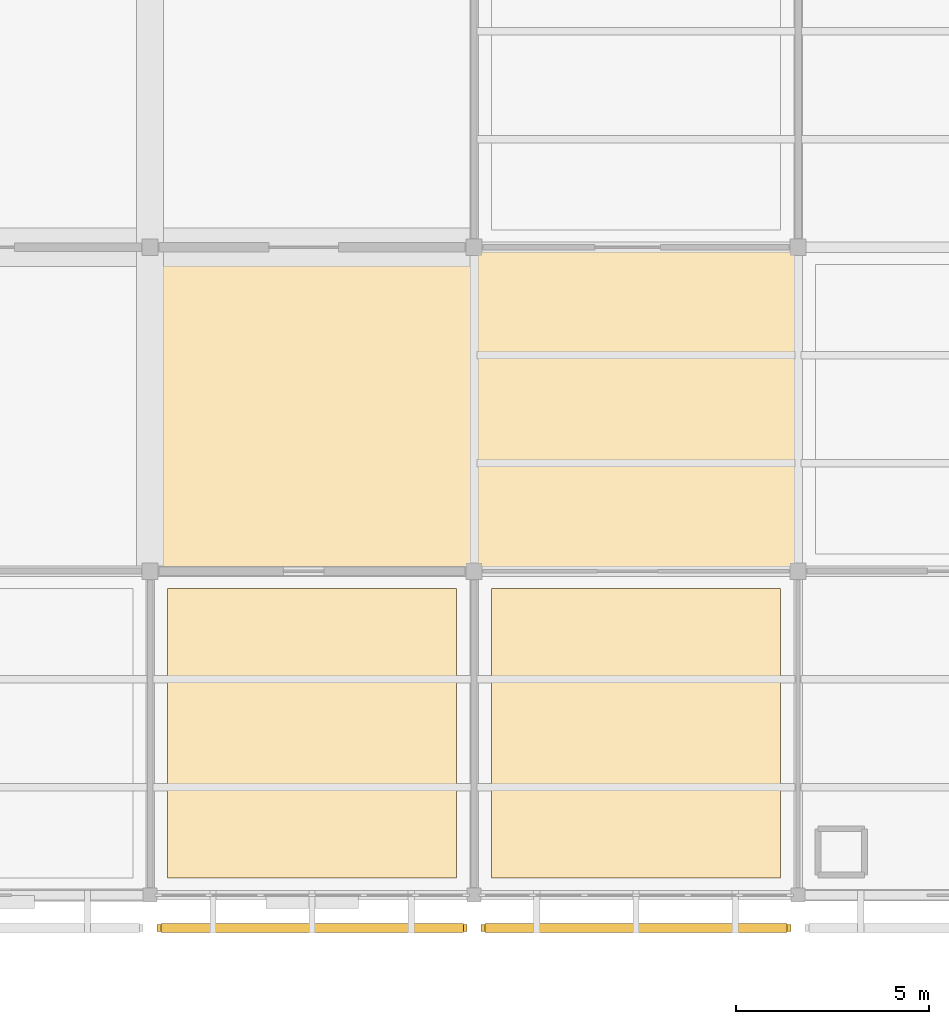
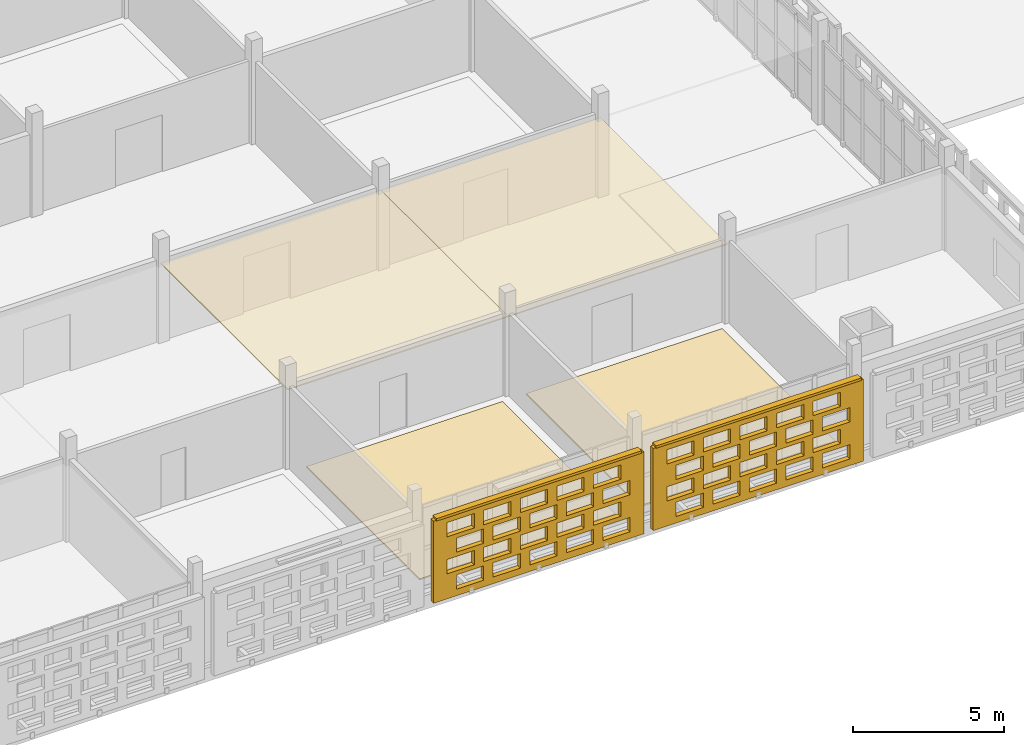
# One storey, part 116 of 166: 6 coverings, 2 shading devices, 40 openings.
"""IFC4 building model written with IfcOpenShell, lengths in metres."""

from ifc_helpers import new_model, si_unit, direction, frame, frame_2d, origin, origin_2d, place, context, subcontext, project, spatial, rectangle, extrude, material, layer, layer_set, type_object, element, save


model = new_model("IFC4")

# Units and contexts
model_context = context("Model", 3, precision=1e-05, world=origin(), true_north=direction((0.0, 1.0)))
body_context = subcontext(model_context, "Body", "Model", "MODEL_VIEW")
ifc_project = project(units=[si_unit("LENGTHUNIT", "METRE"), si_unit("AREAUNIT", "SQUARE_METRE"), si_unit("VOLUMEUNIT", "CUBIC_METRE"), si_unit("PLANEANGLEUNIT", "RADIAN"), si_unit("MASSUNIT", "GRAM", prefix="KILO")], contexts=[model_context])

# Site, building, storey
site_placement = place(None, origin())
site = spatial("IfcSite", under=ifc_project, at=site_placement, CompositionType="ELEMENT")
building_placement = place(site_placement, origin())
building = spatial("IfcBuilding", under=site, at=building_placement, Name="Varnapada Polytechnic", CompositionType="ELEMENT")
storey_placement = place(building_placement, frame((0.0, 0.0, 9.60009765625)))
storey = spatial("IfcBuildingStorey", under=building, at=storey_placement, Name="L02", CompositionType="ELEMENT", Elevation=9.60009765625)

# Coverings
ifc_material_1 = material(Name="Anti-Static Raised Laboratory Flooring")
ifc_layer_1 = layer(ifc_material_1, 0.06005859375)
ifc_layer_set_1 = layer_set([ifc_layer_1], Name="Anti-Static Raised Laboratory Flooring")
covering_type_1 = type_object("IfcCoveringType", Name="Floor Finish FLR-02", PredefinedType="FLOORING", material=ifc_layer_set_1)
covering_1_placement = place(storey_placement, frame((46.199951171875, 4.199951171875, -0.000244140625), z_axis=(0.0, 0.0, 1.0), x_axis=(1.0, 0.0, 0.0)))
element("IfcCovering", 1, at=covering_1_placement, inside=storey, type_object=covering_type_1, Name="L02 floor finish panel (6,1)", PredefinedType="FLOORING", context=body_context, shape_type="SweptSolid", body=[
    extrude(rectangle(XDim=7.5, YDim=7.5, at=origin_2d()), origin(), (0.0, 0.0, 1.0), 0.06005859375),
])
ifc_material_2 = material(Name="End-Grain Timber Studio Block Flooring", Category="wood")
ifc_layer_2 = layer(ifc_material_2, 0.054931640625)
ifc_layer_set_2 = layer_set([ifc_layer_2], Name="End-Grain Timber Studio Block Flooring")
covering_type_2 = type_object("IfcCoveringType", Name="Floor Finish FLR-04", PredefinedType="FLOORING", material=ifc_layer_set_2)
covering_2_placement = place(storey_placement, frame((37.800048828125, 4.199951171875, 0.0), z_axis=(0.0, 0.0, 1.0), x_axis=(1.0, 0.0, 0.0)))
element("IfcCovering", 2, at=covering_2_placement, inside=storey, type_object=covering_type_2, Name="L02 floor finish panel (5,1)", PredefinedType="FLOORING", context=body_context, shape_type="SweptSolid", body=[
    extrude(rectangle(XDim=7.5, YDim=7.5, at=origin_2d()), origin(), (0.0, 0.0, 1.0), 0.054931640625),
])
ifc_material_3 = material(Name="Mineral Fibre Acoustic Ceiling Tile")
ifc_layer_3 = layer(ifc_material_3, 0.0400390625)
ifc_layer_set_3 = layer_set([ifc_layer_3], Name="Mineral Fibre Acoustic Ceiling Tile")
covering_type_3 = type_object("IfcCoveringType", Name="Suspended Ceiling CLG-01", PredefinedType="CEILING", material=ifc_layer_set_3)
covering_3_placement = place(storey_placement, frame((46.199951171875, 12.60009765625, 3.02978515625), z_axis=(0.0, 0.0, 1.0), x_axis=(1.0, 0.0, 0.0)))
element("IfcCovering", 3, at=covering_3_placement, inside=storey, type_object=covering_type_3, Name="L02 suspended acoustic ceiling (6,2)", PredefinedType="CEILING", context=body_context, shape_type="SweptSolid", body=[
    extrude(rectangle(XDim=8.419921875, YDim=8.419921875, at=origin_2d()), origin(), (0.0, 0.0, 1.0), 0.0400390625),
])
ifc_material_4 = material(Name="Micro-Perforated Gypsum Acoustic Ceiling")
ifc_layer_4 = layer(ifc_material_4, 0.044921875)
ifc_layer_set_4 = layer_set([ifc_layer_4], Name="Micro-Perforated Gypsum Acoustic Ceiling")
covering_type_4 = type_object("IfcCoveringType", Name="Suspended Ceiling CLG-04", PredefinedType="CEILING", material=ifc_layer_set_4)
covering_4_placement = place(storey_placement, frame((37.800048828125, 12.60009765625, 3.02734375), z_axis=(0.0, 0.0, 1.0), x_axis=(1.0, 0.0, 0.0)))
element("IfcCovering", 4, at=covering_4_placement, inside=storey, type_object=covering_type_4, Name="L02 suspended acoustic ceiling (5,2)", PredefinedType="CEILING", context=body_context, shape_type="SweptSolid", body=[
    extrude(rectangle(XDim=8.419921875, YDim=8.419921875, at=origin_2d()), origin(), (0.0, 0.0, 1.0), 0.044921875),
])

# Covering, openings
ifc_material_5 = material(Name="Earth-toned architectural terracotta screen block", Category="masonry")
ifc_layer_5 = layer(ifc_material_5, 0.1201171875)
ifc_layer_set_5 = layer_set([ifc_layer_5], Name="Earth-toned architectural terracotta screen block")
covering_type_5 = type_object("IfcCoveringType", Name="Terracotta Screen Cladding CLD-01", PredefinedType="CLADDING", material=ifc_layer_set_5)
covering_5_placement = place(storey_placement, frame((41.820068359375, -0.85009765625, 0.0), z_axis=(0.0, 0.0, 1.0), x_axis=(-1.0, 0.0, 0.0)))
covering_5 = element("IfcCovering", 5, at=covering_5_placement, inside=storey, type_object=covering_type_5, Name="L02 perforated terracotta block screen (34)", PredefinedType="CLADDING", context=body_context, shape_type="SweptSolid", body=[
    extrude(rectangle(XDim=8.0400390625, YDim=0.179931640625, at=frame_2d((4.02001953125, 0.0))), origin(), (0.0, 0.0, 1.0), 3.31982421875),
])
opening_1_placement = place(covering_5_placement, frame((0.52001953125, 0.0, 0.265625)))
element("IfcOpeningElement", 6, at=opening_1_placement, cuts=covering_5, Name="Screen perforation TBS-L02-033.1", PredefinedType="OPENING", context=body_context, shape_type="SweptSolid", body=[
    extrude(rectangle(XDim=1.0400390625, YDim=0.5810546875, at=frame_2d((0.52001953125, 0.29052734375))), frame((0.0, 0.099853515625, 0.0), z_axis=(0.0, -1.0, 0.0), x_axis=(1.0, 0.0, 0.0)), (0.0, 0.0, 1.0), 0.199951171875),
])
opening_2_placement = place(covering_5_placement, frame((1.919921875, 0.0, 0.265625)))
element("IfcOpeningElement", 7, at=opening_2_placement, cuts=covering_5, Name="Screen perforation TBS-L02-033.2", PredefinedType="OPENING", context=body_context, shape_type="SweptSolid", body=[
    extrude(rectangle(XDim=1.0400390625, YDim=0.5810546875, at=frame_2d((0.52001953125, 0.29052734375))), frame((0.0, 0.099853515625, 0.0), z_axis=(0.0, -1.0, 0.0), x_axis=(1.0, 0.0, 0.0)), (0.0, 0.0, 1.0), 0.199951171875),
])
opening_3_placement = place(covering_5_placement, frame((3.320068359375, 0.0, 0.265625)))
element("IfcOpeningElement", 8, at=opening_3_placement, cuts=covering_5, Name="Screen perforation TBS-L02-033.3", PredefinedType="OPENING", context=body_context, shape_type="SweptSolid", body=[
    extrude(rectangle(XDim=1.0400390625, YDim=0.5810546875, at=frame_2d((0.52001953125, 0.29052734375))), frame((0.0, 0.099853515625, 0.0), z_axis=(0.0, -1.0, 0.0), x_axis=(1.0, 0.0, 0.0)), (0.0, 0.0, 1.0), 0.199951171875),
])
opening_4_placement = place(covering_5_placement, frame((4.719970703125, 0.0, 0.265625)))
element("IfcOpeningElement", 9, at=opening_4_placement, cuts=covering_5, Name="Screen perforation TBS-L02-033.4", PredefinedType="OPENING", context=body_context, shape_type="SweptSolid", body=[
    extrude(rectangle(XDim=1.0400390625, YDim=0.5810546875, at=frame_2d((0.52001953125, 0.29052734375))), frame((0.0, 0.099853515625, 0.0), z_axis=(0.0, -1.0, 0.0), x_axis=(1.0, 0.0, 0.0)), (0.0, 0.0, 1.0), 0.199951171875),
])
opening_5_placement = place(covering_5_placement, frame((6.1201171875, 0.0, 0.265625)))
element("IfcOpeningElement", 10, at=opening_5_placement, cuts=covering_5, Name="Screen perforation TBS-L02-033.5", PredefinedType="OPENING", context=body_context, shape_type="SweptSolid", body=[
    extrude(rectangle(XDim=1.0400390625, YDim=0.5810546875, at=frame_2d((0.52001953125, 0.29052734375))), frame((0.0, 0.099853515625, 0.0), z_axis=(0.0, -1.0, 0.0), x_axis=(1.0, 0.0, 0.0)), (0.0, 0.0, 1.0), 0.199951171875),
])
opening_6_placement = place(covering_5_placement, frame((0.8798828125, 0.0, 1.0126953125)))
element("IfcOpeningElement", 11, at=opening_6_placement, cuts=covering_5, Name="Screen perforation TBS-L02-033.6", PredefinedType="OPENING", context=body_context, shape_type="SweptSolid", body=[
    extrude(rectangle(XDim=1.0400390625, YDim=0.5810546875, at=frame_2d((0.52001953125, 0.29052734375))), frame((0.0, 0.099853515625, 0.0), z_axis=(0.0, -1.0, 0.0), x_axis=(1.0, 0.0, 0.0)), (0.0, 0.0, 1.0), 0.199951171875),
])
opening_7_placement = place(covering_5_placement, frame((2.280029296875, 0.0, 1.0126953125)))
element("IfcOpeningElement", 12, at=opening_7_placement, cuts=covering_5, Name="Screen perforation TBS-L02-033.7", PredefinedType="OPENING", context=body_context, shape_type="SweptSolid", body=[
    extrude(rectangle(XDim=1.0400390625, YDim=0.5810546875, at=frame_2d((0.52001953125, 0.29052734375))), frame((0.0, 0.099853515625, 0.0), z_axis=(0.0, -1.0, 0.0), x_axis=(1.0, 0.0, 0.0)), (0.0, 0.0, 1.0), 0.199951171875),
])
opening_8_placement = place(covering_5_placement, frame((3.679931640625, 0.0, 1.0126953125)))
element("IfcOpeningElement", 13, at=opening_8_placement, cuts=covering_5, Name="Screen perforation TBS-L02-033.8", PredefinedType="OPENING", context=body_context, shape_type="SweptSolid", body=[
    extrude(rectangle(XDim=1.0400390625, YDim=0.5810546875, at=frame_2d((0.52001953125, 0.29052734375))), frame((0.0, 0.099853515625, 0.0), z_axis=(0.0, -1.0, 0.0), x_axis=(1.0, 0.0, 0.0)), (0.0, 0.0, 1.0), 0.199951171875),
])
opening_9_placement = place(covering_5_placement, frame((5.080078125, 0.0, 1.0126953125)))
element("IfcOpeningElement", 14, at=opening_9_placement, cuts=covering_5, Name="Screen perforation TBS-L02-033.9", PredefinedType="OPENING", context=body_context, shape_type="SweptSolid", body=[
    extrude(rectangle(XDim=1.0400390625, YDim=0.5810546875, at=frame_2d((0.52001953125, 0.29052734375))), frame((0.0, 0.099853515625, 0.0), z_axis=(0.0, -1.0, 0.0), x_axis=(1.0, 0.0, 0.0)), (0.0, 0.0, 1.0), 0.199951171875),
])
opening_10_placement = place(covering_5_placement, frame((6.47998046875, 0.0, 1.0126953125)))
element("IfcOpeningElement", 15, at=opening_10_placement, cuts=covering_5, Name="Screen perforation TBS-L02-033.10", PredefinedType="OPENING", context=body_context, shape_type="SweptSolid", body=[
    extrude(rectangle(XDim=1.0400390625, YDim=0.5810546875, at=frame_2d((0.52001953125, 0.29052734375))), frame((0.0, 0.099853515625, 0.0), z_axis=(0.0, -1.0, 0.0), x_axis=(1.0, 0.0, 0.0)), (0.0, 0.0, 1.0), 0.199951171875),
])
opening_11_placement = place(covering_5_placement, frame((0.52001953125, 0.0, 1.759521484375)))
element("IfcOpeningElement", 16, at=opening_11_placement, cuts=covering_5, Name="Screen perforation TBS-L02-033.11", PredefinedType="OPENING", context=body_context, shape_type="SweptSolid", body=[
    extrude(rectangle(XDim=1.0400390625, YDim=0.5810546875, at=frame_2d((0.52001953125, 0.29052734375))), frame((0.0, 0.099853515625, 0.0), z_axis=(0.0, -1.0, 0.0), x_axis=(1.0, 0.0, 0.0)), (0.0, 0.0, 1.0), 0.199951171875),
])
opening_12_placement = place(covering_5_placement, frame((1.919921875, 0.0, 1.759521484375)))
element("IfcOpeningElement", 17, at=opening_12_placement, cuts=covering_5, Name="Screen perforation TBS-L02-033.12", PredefinedType="OPENING", context=body_context, shape_type="SweptSolid", body=[
    extrude(rectangle(XDim=1.0400390625, YDim=0.5810546875, at=frame_2d((0.52001953125, 0.29052734375))), frame((0.0, 0.099853515625, 0.0), z_axis=(0.0, -1.0, 0.0), x_axis=(1.0, 0.0, 0.0)), (0.0, 0.0, 1.0), 0.199951171875),
])
opening_13_placement = place(covering_5_placement, frame((3.320068359375, 0.0, 1.759521484375)))
element("IfcOpeningElement", 18, at=opening_13_placement, cuts=covering_5, Name="Screen perforation TBS-L02-033.13", PredefinedType="OPENING", context=body_context, shape_type="SweptSolid", body=[
    extrude(rectangle(XDim=1.0400390625, YDim=0.5810546875, at=frame_2d((0.52001953125, 0.29052734375))), frame((0.0, 0.099853515625, 0.0), z_axis=(0.0, -1.0, 0.0), x_axis=(1.0, 0.0, 0.0)), (0.0, 0.0, 1.0), 0.199951171875),
])
opening_14_placement = place(covering_5_placement, frame((4.719970703125, 0.0, 1.759521484375)))
element("IfcOpeningElement", 19, at=opening_14_placement, cuts=covering_5, Name="Screen perforation TBS-L02-033.14", PredefinedType="OPENING", context=body_context, shape_type="SweptSolid", body=[
    extrude(rectangle(XDim=1.0400390625, YDim=0.5810546875, at=frame_2d((0.52001953125, 0.29052734375))), frame((0.0, 0.099853515625, 0.0), z_axis=(0.0, -1.0, 0.0), x_axis=(1.0, 0.0, 0.0)), (0.0, 0.0, 1.0), 0.199951171875),
])
opening_15_placement = place(covering_5_placement, frame((6.1201171875, 0.0, 1.759521484375)))
element("IfcOpeningElement", 20, at=opening_15_placement, cuts=covering_5, Name="Screen perforation TBS-L02-033.15", PredefinedType="OPENING", context=body_context, shape_type="SweptSolid", body=[
    extrude(rectangle(XDim=1.0400390625, YDim=0.5810546875, at=frame_2d((0.52001953125, 0.29052734375))), frame((0.0, 0.099853515625, 0.0), z_axis=(0.0, -1.0, 0.0), x_axis=(1.0, 0.0, 0.0)), (0.0, 0.0, 1.0), 0.199951171875),
])
opening_16_placement = place(covering_5_placement, frame((0.8798828125, 0.0, 2.506591796875)))
element("IfcOpeningElement", 21, at=opening_16_placement, cuts=covering_5, Name="Screen perforation TBS-L02-033.16", PredefinedType="OPENING", context=body_context, shape_type="SweptSolid", body=[
    extrude(rectangle(XDim=1.0400390625, YDim=0.5810546875, at=frame_2d((0.52001953125, 0.29052734375))), frame((0.0, 0.099853515625, 0.0), z_axis=(0.0, -1.0, 0.0), x_axis=(1.0, 0.0, 0.0)), (0.0, 0.0, 1.0), 0.199951171875),
])
opening_17_placement = place(covering_5_placement, frame((2.280029296875, 0.0, 2.506591796875)))
element("IfcOpeningElement", 22, at=opening_17_placement, cuts=covering_5, Name="Screen perforation TBS-L02-033.17", PredefinedType="OPENING", context=body_context, shape_type="SweptSolid", body=[
    extrude(rectangle(XDim=1.0400390625, YDim=0.5810546875, at=frame_2d((0.52001953125, 0.29052734375))), frame((0.0, 0.099853515625, 0.0), z_axis=(0.0, -1.0, 0.0), x_axis=(1.0, 0.0, 0.0)), (0.0, 0.0, 1.0), 0.199951171875),
])
opening_18_placement = place(covering_5_placement, frame((3.679931640625, 0.0, 2.506591796875)))
element("IfcOpeningElement", 23, at=opening_18_placement, cuts=covering_5, Name="Screen perforation TBS-L02-033.18", PredefinedType="OPENING", context=body_context, shape_type="SweptSolid", body=[
    extrude(rectangle(XDim=1.0400390625, YDim=0.5810546875, at=frame_2d((0.52001953125, 0.29052734375))), frame((0.0, 0.099853515625, 0.0), z_axis=(0.0, -1.0, 0.0), x_axis=(1.0, 0.0, 0.0)), (0.0, 0.0, 1.0), 0.199951171875),
])
opening_19_placement = place(covering_5_placement, frame((5.080078125, 0.0, 2.506591796875)))
element("IfcOpeningElement", 24, at=opening_19_placement, cuts=covering_5, Name="Screen perforation TBS-L02-033.19", PredefinedType="OPENING", context=body_context, shape_type="SweptSolid", body=[
    extrude(rectangle(XDim=1.0400390625, YDim=0.5810546875, at=frame_2d((0.52001953125, 0.29052734375))), frame((0.0, 0.099853515625, 0.0), z_axis=(0.0, -1.0, 0.0), x_axis=(1.0, 0.0, 0.0)), (0.0, 0.0, 1.0), 0.199951171875),
])
opening_20_placement = place(covering_5_placement, frame((6.47998046875, 0.0, 2.506591796875)))
element("IfcOpeningElement", 25, at=opening_20_placement, cuts=covering_5, Name="Screen perforation TBS-L02-033.20", PredefinedType="OPENING", context=body_context, shape_type="SweptSolid", body=[
    extrude(rectangle(XDim=1.0400390625, YDim=0.5810546875, at=frame_2d((0.52001953125, 0.29052734375))), frame((0.0, 0.099853515625, 0.0), z_axis=(0.0, -1.0, 0.0), x_axis=(1.0, 0.0, 0.0)), (0.0, 0.0, 1.0), 0.199951171875),
])

covering_6_placement = place(storey_placement, frame((50.219970703125, -0.85009765625, 0.0), z_axis=(0.0, 0.0, 1.0), x_axis=(-1.0, 0.0, 0.0)))
covering_6 = element("IfcCovering", 26, at=covering_6_placement, inside=storey, type_object=covering_type_5, Name="L02 perforated terracotta block screen (36)", PredefinedType="CLADDING", context=body_context, shape_type="SweptSolid", body=[
    extrude(rectangle(XDim=8.0400390625, YDim=0.179931640625, at=frame_2d((4.02001953125, 0.0))), origin(), (0.0, 0.0, 1.0), 3.31982421875),
])
opening_21_placement = place(covering_6_placement, frame((0.52001953125, 0.0, 0.265625)))
element("IfcOpeningElement", 27, at=opening_21_placement, cuts=covering_6, Name="Screen perforation TBS-L02-035.1", PredefinedType="OPENING", context=body_context, shape_type="SweptSolid", body=[
    extrude(rectangle(XDim=1.0400390625, YDim=0.5810546875, at=frame_2d((0.52001953125, 0.29052734375))), frame((0.0, 0.099853515625, 0.0), z_axis=(0.0, -1.0, 0.0), x_axis=(1.0, 0.0, 0.0)), (0.0, 0.0, 1.0), 0.199951171875),
])
opening_22_placement = place(covering_6_placement, frame((1.919921875, 0.0, 0.265625)))
element("IfcOpeningElement", 28, at=opening_22_placement, cuts=covering_6, Name="Screen perforation TBS-L02-035.2", PredefinedType="OPENING", context=body_context, shape_type="SweptSolid", body=[
    extrude(rectangle(XDim=1.0400390625, YDim=0.5810546875, at=frame_2d((0.52001953125, 0.29052734375))), frame((0.0, 0.099853515625, 0.0), z_axis=(0.0, -1.0, 0.0), x_axis=(1.0, 0.0, 0.0)), (0.0, 0.0, 1.0), 0.199951171875),
])
opening_23_placement = place(covering_6_placement, frame((3.320068359375, 0.0, 0.265625)))
element("IfcOpeningElement", 29, at=opening_23_placement, cuts=covering_6, Name="Screen perforation TBS-L02-035.3", PredefinedType="OPENING", context=body_context, shape_type="SweptSolid", body=[
    extrude(rectangle(XDim=1.0400390625, YDim=0.5810546875, at=frame_2d((0.52001953125, 0.29052734375))), frame((0.0, 0.099853515625, 0.0), z_axis=(0.0, -1.0, 0.0), x_axis=(1.0, 0.0, 0.0)), (0.0, 0.0, 1.0), 0.199951171875),
])
opening_24_placement = place(covering_6_placement, frame((4.719970703125, 0.0, 0.265625)))
element("IfcOpeningElement", 30, at=opening_24_placement, cuts=covering_6, Name="Screen perforation TBS-L02-035.4", PredefinedType="OPENING", context=body_context, shape_type="SweptSolid", body=[
    extrude(rectangle(XDim=1.0400390625, YDim=0.5810546875, at=frame_2d((0.52001953125, 0.29052734375))), frame((0.0, 0.099853515625, 0.0), z_axis=(0.0, -1.0, 0.0), x_axis=(1.0, 0.0, 0.0)), (0.0, 0.0, 1.0), 0.199951171875),
])
opening_25_placement = place(covering_6_placement, frame((6.1201171875, 0.0, 0.265625)))
element("IfcOpeningElement", 31, at=opening_25_placement, cuts=covering_6, Name="Screen perforation TBS-L02-035.5", PredefinedType="OPENING", context=body_context, shape_type="SweptSolid", body=[
    extrude(rectangle(XDim=1.0400390625, YDim=0.5810546875, at=frame_2d((0.52001953125, 0.29052734375))), frame((0.0, 0.099853515625, 0.0), z_axis=(0.0, -1.0, 0.0), x_axis=(1.0, 0.0, 0.0)), (0.0, 0.0, 1.0), 0.199951171875),
])
opening_26_placement = place(covering_6_placement, frame((0.8798828125, 0.0, 1.0126953125)))
element("IfcOpeningElement", 32, at=opening_26_placement, cuts=covering_6, Name="Screen perforation TBS-L02-035.6", PredefinedType="OPENING", context=body_context, shape_type="SweptSolid", body=[
    extrude(rectangle(XDim=1.0400390625, YDim=0.5810546875, at=frame_2d((0.52001953125, 0.29052734375))), frame((0.0, 0.099853515625, 0.0), z_axis=(0.0, -1.0, 0.0), x_axis=(1.0, 0.0, 0.0)), (0.0, 0.0, 1.0), 0.199951171875),
])
opening_27_placement = place(covering_6_placement, frame((2.280029296875, 0.0, 1.0126953125)))
element("IfcOpeningElement", 33, at=opening_27_placement, cuts=covering_6, Name="Screen perforation TBS-L02-035.7", PredefinedType="OPENING", context=body_context, shape_type="SweptSolid", body=[
    extrude(rectangle(XDim=1.0400390625, YDim=0.5810546875, at=frame_2d((0.52001953125, 0.29052734375))), frame((0.0, 0.099853515625, 0.0), z_axis=(0.0, -1.0, 0.0), x_axis=(1.0, 0.0, 0.0)), (0.0, 0.0, 1.0), 0.199951171875),
])
opening_28_placement = place(covering_6_placement, frame((3.679931640625, 0.0, 1.0126953125)))
element("IfcOpeningElement", 34, at=opening_28_placement, cuts=covering_6, Name="Screen perforation TBS-L02-035.8", PredefinedType="OPENING", context=body_context, shape_type="SweptSolid", body=[
    extrude(rectangle(XDim=1.0400390625, YDim=0.5810546875, at=frame_2d((0.52001953125, 0.29052734375))), frame((0.0, 0.099853515625, 0.0), z_axis=(0.0, -1.0, 0.0), x_axis=(1.0, 0.0, 0.0)), (0.0, 0.0, 1.0), 0.199951171875),
])
opening_29_placement = place(covering_6_placement, frame((5.080078125, 0.0, 1.0126953125)))
element("IfcOpeningElement", 35, at=opening_29_placement, cuts=covering_6, Name="Screen perforation TBS-L02-035.9", PredefinedType="OPENING", context=body_context, shape_type="SweptSolid", body=[
    extrude(rectangle(XDim=1.0400390625, YDim=0.5810546875, at=frame_2d((0.52001953125, 0.29052734375))), frame((0.0, 0.099853515625, 0.0), z_axis=(0.0, -1.0, 0.0), x_axis=(1.0, 0.0, 0.0)), (0.0, 0.0, 1.0), 0.199951171875),
])
opening_30_placement = place(covering_6_placement, frame((6.47998046875, 0.0, 1.0126953125)))
element("IfcOpeningElement", 36, at=opening_30_placement, cuts=covering_6, Name="Screen perforation TBS-L02-035.10", PredefinedType="OPENING", context=body_context, shape_type="SweptSolid", body=[
    extrude(rectangle(XDim=1.0400390625, YDim=0.5810546875, at=frame_2d((0.52001953125, 0.29052734375))), frame((0.0, 0.099853515625, 0.0), z_axis=(0.0, -1.0, 0.0), x_axis=(1.0, 0.0, 0.0)), (0.0, 0.0, 1.0), 0.199951171875),
])
opening_31_placement = place(covering_6_placement, frame((0.52001953125, 0.0, 1.759521484375)))
element("IfcOpeningElement", 37, at=opening_31_placement, cuts=covering_6, Name="Screen perforation TBS-L02-035.11", PredefinedType="OPENING", context=body_context, shape_type="SweptSolid", body=[
    extrude(rectangle(XDim=1.0400390625, YDim=0.5810546875, at=frame_2d((0.52001953125, 0.29052734375))), frame((0.0, 0.099853515625, 0.0), z_axis=(0.0, -1.0, 0.0), x_axis=(1.0, 0.0, 0.0)), (0.0, 0.0, 1.0), 0.199951171875),
])
opening_32_placement = place(covering_6_placement, frame((1.919921875, 0.0, 1.759521484375)))
element("IfcOpeningElement", 38, at=opening_32_placement, cuts=covering_6, Name="Screen perforation TBS-L02-035.12", PredefinedType="OPENING", context=body_context, shape_type="SweptSolid", body=[
    extrude(rectangle(XDim=1.0400390625, YDim=0.5810546875, at=frame_2d((0.52001953125, 0.29052734375))), frame((0.0, 0.099853515625, 0.0), z_axis=(0.0, -1.0, 0.0), x_axis=(1.0, 0.0, 0.0)), (0.0, 0.0, 1.0), 0.199951171875),
])
opening_33_placement = place(covering_6_placement, frame((3.320068359375, 0.0, 1.759521484375)))
element("IfcOpeningElement", 39, at=opening_33_placement, cuts=covering_6, Name="Screen perforation TBS-L02-035.13", PredefinedType="OPENING", context=body_context, shape_type="SweptSolid", body=[
    extrude(rectangle(XDim=1.0400390625, YDim=0.5810546875, at=frame_2d((0.52001953125, 0.29052734375))), frame((0.0, 0.099853515625, 0.0), z_axis=(0.0, -1.0, 0.0), x_axis=(1.0, 0.0, 0.0)), (0.0, 0.0, 1.0), 0.199951171875),
])
opening_34_placement = place(covering_6_placement, frame((4.719970703125, 0.0, 1.759521484375)))
element("IfcOpeningElement", 40, at=opening_34_placement, cuts=covering_6, Name="Screen perforation TBS-L02-035.14", PredefinedType="OPENING", context=body_context, shape_type="SweptSolid", body=[
    extrude(rectangle(XDim=1.0400390625, YDim=0.5810546875, at=frame_2d((0.52001953125, 0.29052734375))), frame((0.0, 0.099853515625, 0.0), z_axis=(0.0, -1.0, 0.0), x_axis=(1.0, 0.0, 0.0)), (0.0, 0.0, 1.0), 0.199951171875),
])
opening_35_placement = place(covering_6_placement, frame((6.1201171875, 0.0, 1.759521484375)))
element("IfcOpeningElement", 41, at=opening_35_placement, cuts=covering_6, Name="Screen perforation TBS-L02-035.15", PredefinedType="OPENING", context=body_context, shape_type="SweptSolid", body=[
    extrude(rectangle(XDim=1.0400390625, YDim=0.5810546875, at=frame_2d((0.52001953125, 0.29052734375))), frame((0.0, 0.099853515625, 0.0), z_axis=(0.0, -1.0, 0.0), x_axis=(1.0, 0.0, 0.0)), (0.0, 0.0, 1.0), 0.199951171875),
])
opening_36_placement = place(covering_6_placement, frame((0.8798828125, 0.0, 2.506591796875)))
element("IfcOpeningElement", 42, at=opening_36_placement, cuts=covering_6, Name="Screen perforation TBS-L02-035.16", PredefinedType="OPENING", context=body_context, shape_type="SweptSolid", body=[
    extrude(rectangle(XDim=1.0400390625, YDim=0.5810546875, at=frame_2d((0.52001953125, 0.29052734375))), frame((0.0, 0.099853515625, 0.0), z_axis=(0.0, -1.0, 0.0), x_axis=(1.0, 0.0, 0.0)), (0.0, 0.0, 1.0), 0.199951171875),
])
opening_37_placement = place(covering_6_placement, frame((2.280029296875, 0.0, 2.506591796875)))
element("IfcOpeningElement", 43, at=opening_37_placement, cuts=covering_6, Name="Screen perforation TBS-L02-035.17", PredefinedType="OPENING", context=body_context, shape_type="SweptSolid", body=[
    extrude(rectangle(XDim=1.0400390625, YDim=0.5810546875, at=frame_2d((0.52001953125, 0.29052734375))), frame((0.0, 0.099853515625, 0.0), z_axis=(0.0, -1.0, 0.0), x_axis=(1.0, 0.0, 0.0)), (0.0, 0.0, 1.0), 0.199951171875),
])
opening_38_placement = place(covering_6_placement, frame((3.679931640625, 0.0, 2.506591796875)))
element("IfcOpeningElement", 44, at=opening_38_placement, cuts=covering_6, Name="Screen perforation TBS-L02-035.18", PredefinedType="OPENING", context=body_context, shape_type="SweptSolid", body=[
    extrude(rectangle(XDim=1.0400390625, YDim=0.5810546875, at=frame_2d((0.52001953125, 0.29052734375))), frame((0.0, 0.099853515625, 0.0), z_axis=(0.0, -1.0, 0.0), x_axis=(1.0, 0.0, 0.0)), (0.0, 0.0, 1.0), 0.199951171875),
])
opening_39_placement = place(covering_6_placement, frame((5.080078125, 0.0, 2.506591796875)))
element("IfcOpeningElement", 45, at=opening_39_placement, cuts=covering_6, Name="Screen perforation TBS-L02-035.19", PredefinedType="OPENING", context=body_context, shape_type="SweptSolid", body=[
    extrude(rectangle(XDim=1.0400390625, YDim=0.5810546875, at=frame_2d((0.52001953125, 0.29052734375))), frame((0.0, 0.099853515625, 0.0), z_axis=(0.0, -1.0, 0.0), x_axis=(1.0, 0.0, 0.0)), (0.0, 0.0, 1.0), 0.199951171875),
])
opening_40_placement = place(covering_6_placement, frame((6.47998046875, 0.0, 2.506591796875)))
element("IfcOpeningElement", 46, at=opening_40_placement, cuts=covering_6, Name="Screen perforation TBS-L02-035.20", PredefinedType="OPENING", context=body_context, shape_type="SweptSolid", body=[
    extrude(rectangle(XDim=1.0400390625, YDim=0.5810546875, at=frame_2d((0.52001953125, 0.29052734375))), frame((0.0, 0.099853515625, 0.0), z_axis=(0.0, -1.0, 0.0), x_axis=(1.0, 0.0, 0.0)), (0.0, 0.0, 1.0), 0.199951171875),
])

# Shading devices
ifc_layer_6 = layer(ifc_material_5, 0.179931640625)
ifc_layer_set_6 = layer_set([ifc_layer_6], Name="Earth-toned architectural terracotta screen block")
shading_device_type = type_object("IfcShadingDeviceType", Name="Terracotta Screen SCR-01", PredefinedType="USERDEFINED", material=ifc_layer_set_6)
for number, where, z_axis, x_axis, name in (
    (47, (37.800048828125, -0.85009765625, 3.309814453125), (0.0, 0.0, 1.0), (-1.0, 0.0, 0.0), "L02 perforated terracotta screen hood 263"),
    (48, (46.199951171875, -0.85009765625, 3.309814453125), (0.0, 0.0, 1.0), (-1.0, 0.0, 0.0), "L02 perforated terracotta screen hood 265"),
):
    element("IfcShadingDevice", number, at=place(storey_placement, frame(where, z_axis=z_axis, x_axis=x_axis)), inside=storey, type_object=shading_device_type, Name=name, ObjectType="SCREEN", PredefinedType="USERDEFINED", context=body_context, shape_type="SweptSolid", body=[
        extrude(rectangle(XDim=7.840087890625, YDim=0.239990234375, at=origin_2d()), origin(), (0.0, 0.0, 1.0), 0.10009765625),
    ])

save(model, "model.ifc")
